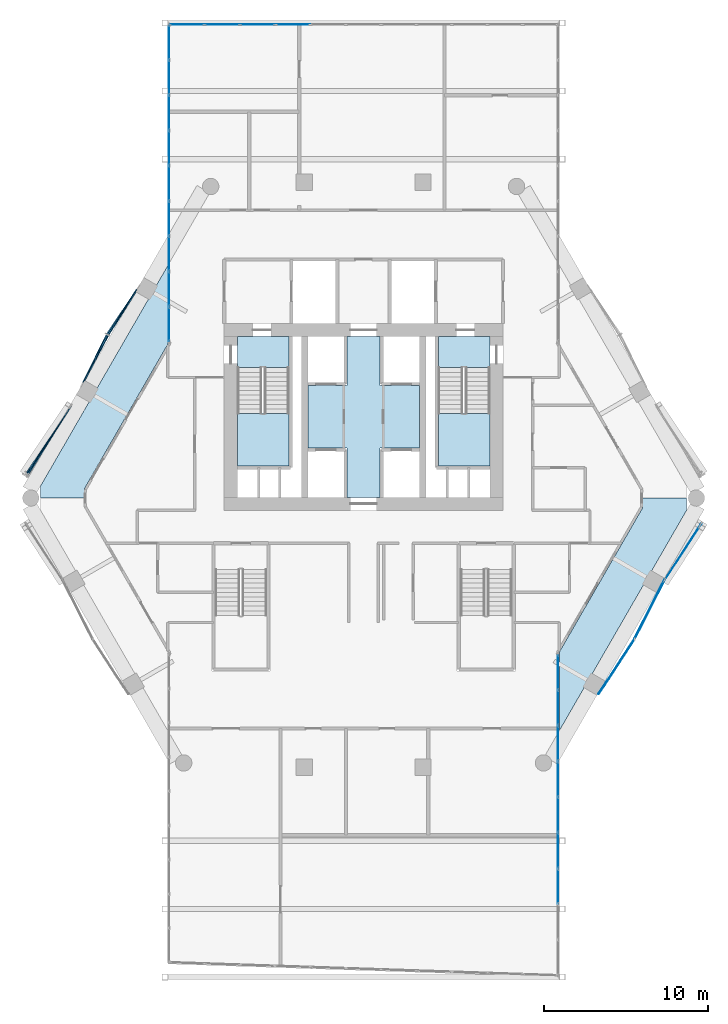
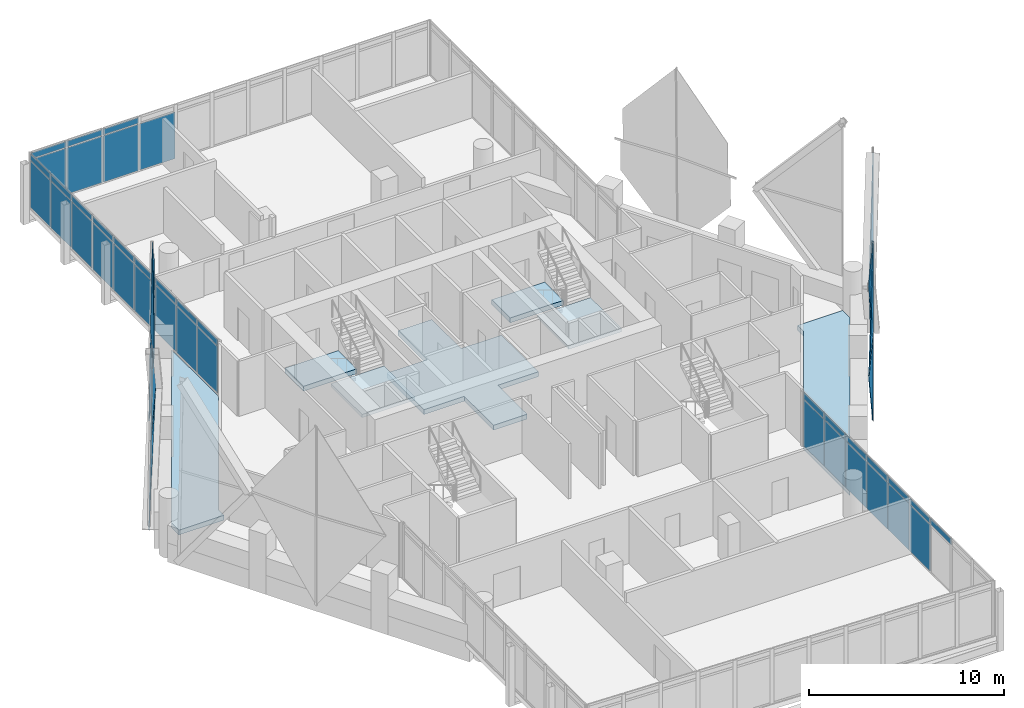
# One storey, part 27 of 37: 50 plates, 7 slabs, 13 elements without a shape of their own.
"""IFC4 building model written with IfcOpenShell, lengths in metres."""

from ifc_helpers import new_model, si_unit, direction, frame, origin, origin_2d, place, context, subcontext, project, spatial, polyline, rectangle, outline, extrude, material, layer, layer_set, type_object, element, aggregate, save


model = new_model("IFC4")

# Units and contexts
model_context = context("Model", 3, precision=1e-05, world=origin(), true_north=direction((0.0, 1.0)))
body_context = subcontext(model_context, "Body", "Model", "MODEL_VIEW")
ifc_project = project(units=[si_unit("LENGTHUNIT", "METRE"), si_unit("AREAUNIT", "SQUARE_METRE"), si_unit("VOLUMEUNIT", "CUBIC_METRE"), si_unit("PLANEANGLEUNIT", "RADIAN"), si_unit("MASSUNIT", "GRAM", prefix="KILO")], contexts=[model_context])

# Site, building, storey
site_placement = place(None, origin())
site = spatial("IfcSite", under=ifc_project, at=site_placement, CompositionType="ELEMENT")
building_placement = place(site_placement, origin())
building = spatial("IfcBuilding", under=site, at=building_placement, Name="Ostrander Bayou Hotel Tower", CompositionType="ELEMENT")
storey_placement = place(building_placement, frame((0.0, 0.0, 198.25)))
storey = spatial("IfcBuildingStorey", under=building, at=storey_placement, Name="L49", CompositionType="ELEMENT", Elevation=198.25)

# Curtain wall, plates
ifc_material_1 = material(Name="Aluminium and clear glass", Category="aluminium")
curtain_wall_type_1 = type_object("IfcCurtainWallType", Name="CW-BAR glazed wall", PredefinedType="NOTDEFINED", material=ifc_material_1)
curtain_wall_1_placement = place(storey_placement, origin())
curtain_wall_1 = element("IfcCurtainWall", 1, at=curtain_wall_1_placement, inside=storey, type_object=curtain_wall_type_1, Name="CW-BAR L49:SB4S:W", PredefinedType="NOTDEFINED")
ifc_material_2 = material(Name="Clear laminated glass", Category="glass")
ifc_layer_1 = layer(ifc_material_2, 0.028076171875)
ifc_layer_set_1 = layer_set([ifc_layer_1], Name="CW-BR glazing panel 28 mm")
plate_type_1 = type_object("IfcPlateType", Name="CW-BR glazing panel 28 mm", PredefinedType="CURTAIN_PANEL", material=ifc_layer_set_1)
plate_1_placement = place(storey_placement, frame((11.857177734375, -11.565673828125, 0.06005859375), z_axis=(0.0, 0.0, 1.0), x_axis=(0.0, -1.0, 0.0)))
plate_1 = element("IfcPlate", 2, at=plate_1_placement, type_object=plate_type_1, Name="CW-BAR panel 1.1", PredefinedType="CURTAIN_PANEL", context=body_context, shape_type="SweptSolid", body=[
    extrude(rectangle(XDim=2.086181640625, YDim=0.028076171875, at=origin_2d()), origin(), (0.0, 0.0, 1.0), 2.909912109375),
])
plate_2_placement = place(storey_placement, frame((11.857177734375, -11.565673828125, 3.02978515625), z_axis=(0.0, 0.0, 1.0), x_axis=(0.0, -1.0, 0.0)))
plate_2 = element("IfcPlate", 3, at=plate_2_placement, type_object=plate_type_1, Name="CW-BAR panel 1.2", PredefinedType="CURTAIN_PANEL", context=body_context, shape_type="SweptSolid", body=[
    extrude(rectangle(XDim=2.086181640625, YDim=0.028076171875, at=origin_2d()), origin(), (0.0, 0.0, 1.0), 0.360107421875),
])
plate_3_placement = place(storey_placement, frame((11.857177734375, -13.726806640625, 0.06005859375), z_axis=(0.0, 0.0, 1.0), x_axis=(0.0, -1.0, 0.0)))
plate_3 = element("IfcPlate", 4, at=plate_3_placement, type_object=plate_type_1, Name="CW-BAR panel 2.1", PredefinedType="CURTAIN_PANEL", context=body_context, shape_type="SweptSolid", body=[
    extrude(rectangle(XDim=2.1162109375, YDim=0.028076171875, at=origin_2d()), origin(), (0.0, 0.0, 1.0), 2.909912109375),
])
plate_4_placement = place(storey_placement, frame((11.857177734375, -13.726806640625, 3.02978515625), z_axis=(0.0, 0.0, 1.0), x_axis=(0.0, -1.0, 0.0)))
plate_4 = element("IfcPlate", 5, at=plate_4_placement, type_object=plate_type_1, Name="CW-BAR panel 2.2", PredefinedType="CURTAIN_PANEL", context=body_context, shape_type="SweptSolid", body=[
    extrude(rectangle(XDim=2.1162109375, YDim=0.028076171875, at=origin_2d()), origin(), (0.0, 0.0, 1.0), 0.360107421875),
])
plate_5_placement = place(storey_placement, frame((11.857177734375, -15.90283203125, 0.06005859375), z_axis=(0.0, 0.0, 1.0), x_axis=(0.0, -1.0, 0.0)))
plate_5 = element("IfcPlate", 6, at=plate_5_placement, type_object=plate_type_1, Name="CW-BAR panel 3.1", PredefinedType="CURTAIN_PANEL", context=body_context, shape_type="SweptSolid", body=[
    extrude(rectangle(XDim=2.1162109375, YDim=0.028076171875, at=origin_2d()), origin(), (0.0, 0.0, 1.0), 2.909912109375),
])
plate_6_placement = place(storey_placement, frame((11.857177734375, -15.90283203125, 3.02978515625), z_axis=(0.0, 0.0, 1.0), x_axis=(0.0, -1.0, 0.0)))
plate_6 = element("IfcPlate", 7, at=plate_6_placement, type_object=plate_type_1, Name="CW-BAR panel 3.2", PredefinedType="CURTAIN_PANEL", context=body_context, shape_type="SweptSolid", body=[
    extrude(rectangle(XDim=2.1162109375, YDim=0.028076171875, at=origin_2d()), origin(), (0.0, 0.0, 1.0), 0.360107421875),
])
plate_7_placement = place(storey_placement, frame((11.857177734375, -18.0791015625, 0.06005859375), z_axis=(0.0, 0.0, 1.0), x_axis=(0.0, -1.0, 0.0)))
plate_7 = element("IfcPlate", 8, at=plate_7_placement, type_object=plate_type_1, Name="CW-BAR panel 4.1", PredefinedType="CURTAIN_PANEL", context=body_context, shape_type="SweptSolid", body=[
    extrude(rectangle(XDim=2.1162109375, YDim=0.028076171875, at=origin_2d()), origin(), (0.0, 0.0, 1.0), 2.909912109375),
])
plate_8_placement = place(storey_placement, frame((11.857177734375, -18.0791015625, 3.02978515625), z_axis=(0.0, 0.0, 1.0), x_axis=(0.0, -1.0, 0.0)))
plate_8 = element("IfcPlate", 9, at=plate_8_placement, type_object=plate_type_1, Name="CW-BAR panel 4.2", PredefinedType="CURTAIN_PANEL", context=body_context, shape_type="SweptSolid", body=[
    extrude(rectangle(XDim=2.1162109375, YDim=0.028076171875, at=origin_2d()), origin(), (0.0, 0.0, 1.0), 0.360107421875),
])
plate_9_placement = place(storey_placement, frame((11.857177734375, -20.255126953125, 0.06005859375), z_axis=(0.0, 0.0, 1.0), x_axis=(0.0, -1.0, 0.0)))
plate_9 = element("IfcPlate", 10, at=plate_9_placement, type_object=plate_type_1, Name="CW-BAR panel 5.1", PredefinedType="CURTAIN_PANEL", context=body_context, shape_type="SweptSolid", body=[
    extrude(rectangle(XDim=2.1162109375, YDim=0.028076171875, at=origin_2d()), origin(), (0.0, 0.0, 1.0), 2.909912109375),
])
plate_10_placement = place(storey_placement, frame((11.857177734375, -20.255126953125, 3.02978515625), z_axis=(0.0, 0.0, 1.0), x_axis=(0.0, -1.0, 0.0)))
plate_10 = element("IfcPlate", 11, at=plate_10_placement, type_object=plate_type_1, Name="CW-BAR panel 5.2", PredefinedType="CURTAIN_PANEL", context=body_context, shape_type="SweptSolid", body=[
    extrude(rectangle(XDim=2.1162109375, YDim=0.028076171875, at=origin_2d()), origin(), (0.0, 0.0, 1.0), 0.360107421875),
])
plate_11_placement = place(storey_placement, frame((11.857177734375, -22.43115234375, 0.06005859375), z_axis=(0.0, 0.0, 1.0), x_axis=(0.0, -1.0, 0.0)))
plate_11 = element("IfcPlate", 12, at=plate_11_placement, type_object=plate_type_1, Name="CW-BAR panel 6.1", PredefinedType="CURTAIN_PANEL", context=body_context, shape_type="SweptSolid", body=[
    extrude(rectangle(XDim=2.1162109375, YDim=0.028076171875, at=origin_2d()), origin(), (0.0, 0.0, 1.0), 2.909912109375),
])
plate_12_placement = place(storey_placement, frame((11.857177734375, -22.43115234375, 3.02978515625), z_axis=(0.0, 0.0, 1.0), x_axis=(0.0, -1.0, 0.0)))
plate_12 = element("IfcPlate", 13, at=plate_12_placement, type_object=plate_type_1, Name="CW-BAR panel 6.2", PredefinedType="CURTAIN_PANEL", context=body_context, shape_type="SweptSolid", body=[
    extrude(rectangle(XDim=2.1162109375, YDim=0.028076171875, at=origin_2d()), origin(), (0.0, 0.0, 1.0), 0.360107421875),
])
plate_13_placement = place(storey_placement, frame((11.857177734375, -24.607177734375, 3.02978515625), z_axis=(0.0, 0.0, 1.0), x_axis=(0.0, -1.0, 0.0)))
plate_13 = element("IfcPlate", 14, at=plate_13_placement, type_object=plate_type_1, Name="CW-BAR panel 7.2", PredefinedType="CURTAIN_PANEL", context=body_context, shape_type="SweptSolid", body=[
    extrude(rectangle(XDim=2.1162109375, YDim=0.028076171875, at=origin_2d()), origin(), (0.0, 0.0, 1.0), 0.360107421875),
])
aggregate(curtain_wall_1, [plate_1, plate_2, plate_3, plate_4, plate_5, plate_6, plate_7, plate_8, plate_9, plate_10, plate_11, plate_12, plate_13])

curtain_wall_2_placement = place(storey_placement, origin())
curtain_wall_2 = element("IfcCurtainWall", 15, at=curtain_wall_2_placement, inside=storey, type_object=curtain_wall_type_1, Name="CW-BAR L49:SB4N:E", PredefinedType="NOTDEFINED")
plate_14_placement = place(storey_placement, frame((-11.857177734375, 9.654541015625, 0.06005859375), z_axis=(0.0, 0.0, 1.0), x_axis=(0.0, 1.0, 0.0)))
plate_14 = element("IfcPlate", 16, at=plate_14_placement, type_object=plate_type_1, Name="CW-BAR panel 1.1", PredefinedType="CURTAIN_PANEL", context=body_context, shape_type="SweptSolid", body=[
    extrude(rectangle(XDim=2.060302734375, YDim=0.028076171875, at=origin_2d()), origin(), (0.0, 0.0, 1.0), 2.909912109375),
])
plate_15_placement = place(storey_placement, frame((-11.857177734375, 9.654541015625, 3.02978515625), z_axis=(0.0, 0.0, 1.0), x_axis=(0.0, 1.0, 0.0)))
plate_15 = element("IfcPlate", 17, at=plate_15_placement, type_object=plate_type_1, Name="CW-BAR panel 1.2", PredefinedType="CURTAIN_PANEL", context=body_context, shape_type="SweptSolid", body=[
    extrude(rectangle(XDim=2.060302734375, YDim=0.028076171875, at=origin_2d()), origin(), (0.0, 0.0, 1.0), 0.360107421875),
])
plate_16_placement = place(storey_placement, frame((-11.857177734375, 11.789794921875, 0.06005859375), z_axis=(0.0, 0.0, 1.0), x_axis=(0.0, 1.0, 0.0)))
plate_16 = element("IfcPlate", 18, at=plate_16_placement, type_object=plate_type_1, Name="CW-BAR panel 2.1", PredefinedType="CURTAIN_PANEL", context=body_context, shape_type="SweptSolid", body=[
    extrude(rectangle(XDim=2.090087890625, YDim=0.028076171875, at=origin_2d()), origin(), (0.0, 0.0, 1.0), 2.909912109375),
])
plate_17_placement = place(storey_placement, frame((-11.857177734375, 11.789794921875, 3.02978515625), z_axis=(0.0, 0.0, 1.0), x_axis=(0.0, 1.0, 0.0)))
plate_17 = element("IfcPlate", 19, at=plate_17_placement, type_object=plate_type_1, Name="CW-BAR panel 2.2", PredefinedType="CURTAIN_PANEL", context=body_context, shape_type="SweptSolid", body=[
    extrude(rectangle(XDim=2.090087890625, YDim=0.028076171875, at=origin_2d()), origin(), (0.0, 0.0, 1.0), 0.360107421875),
])
plate_18_placement = place(storey_placement, frame((-11.857177734375, 13.93994140625, 0.06005859375), z_axis=(0.0, 0.0, 1.0), x_axis=(0.0, 1.0, 0.0)))
plate_18 = element("IfcPlate", 20, at=plate_18_placement, type_object=plate_type_1, Name="CW-BAR panel 3.1", PredefinedType="CURTAIN_PANEL", context=body_context, shape_type="SweptSolid", body=[
    extrude(rectangle(XDim=2.090087890625, YDim=0.028076171875, at=origin_2d()), origin(), (0.0, 0.0, 1.0), 2.909912109375),
])
plate_19_placement = place(storey_placement, frame((-11.857177734375, 13.93994140625, 3.02978515625), z_axis=(0.0, 0.0, 1.0), x_axis=(0.0, 1.0, 0.0)))
plate_19 = element("IfcPlate", 21, at=plate_19_placement, type_object=plate_type_1, Name="CW-BAR panel 3.2", PredefinedType="CURTAIN_PANEL", context=body_context, shape_type="SweptSolid", body=[
    extrude(rectangle(XDim=2.090087890625, YDim=0.028076171875, at=origin_2d()), origin(), (0.0, 0.0, 1.0), 0.360107421875),
])
plate_20_placement = place(storey_placement, frame((-11.857177734375, 16.090087890625, 0.06005859375), z_axis=(0.0, 0.0, 1.0), x_axis=(0.0, 1.0, 0.0)))
plate_20 = element("IfcPlate", 22, at=plate_20_placement, type_object=plate_type_1, Name="CW-BAR panel 4.1", PredefinedType="CURTAIN_PANEL", context=body_context, shape_type="SweptSolid", body=[
    extrude(rectangle(XDim=2.090087890625, YDim=0.028076171875, at=origin_2d()), origin(), (0.0, 0.0, 1.0), 2.909912109375),
])
plate_21_placement = place(storey_placement, frame((-11.857177734375, 16.090087890625, 3.02978515625), z_axis=(0.0, 0.0, 1.0), x_axis=(0.0, 1.0, 0.0)))
plate_21 = element("IfcPlate", 23, at=plate_21_placement, type_object=plate_type_1, Name="CW-BAR panel 4.2", PredefinedType="CURTAIN_PANEL", context=body_context, shape_type="SweptSolid", body=[
    extrude(rectangle(XDim=2.090087890625, YDim=0.028076171875, at=origin_2d()), origin(), (0.0, 0.0, 1.0), 0.360107421875),
])
plate_22_placement = place(storey_placement, frame((-11.857177734375, 18.240234375, 0.06005859375), z_axis=(0.0, 0.0, 1.0), x_axis=(0.0, 1.0, 0.0)))
plate_22 = element("IfcPlate", 24, at=plate_22_placement, type_object=plate_type_1, Name="CW-BAR panel 5.1", PredefinedType="CURTAIN_PANEL", context=body_context, shape_type="SweptSolid", body=[
    extrude(rectangle(XDim=2.090087890625, YDim=0.028076171875, at=origin_2d()), origin(), (0.0, 0.0, 1.0), 2.909912109375),
])
plate_23_placement = place(storey_placement, frame((-11.857177734375, 18.240234375, 3.02978515625), z_axis=(0.0, 0.0, 1.0), x_axis=(0.0, 1.0, 0.0)))
plate_23 = element("IfcPlate", 25, at=plate_23_placement, type_object=plate_type_1, Name="CW-BAR panel 5.2", PredefinedType="CURTAIN_PANEL", context=body_context, shape_type="SweptSolid", body=[
    extrude(rectangle(XDim=2.090087890625, YDim=0.028076171875, at=origin_2d()), origin(), (0.0, 0.0, 1.0), 0.360107421875),
])
plate_24_placement = place(storey_placement, frame((-11.857177734375, 20.390380859375, 0.06005859375), z_axis=(0.0, 0.0, 1.0), x_axis=(0.0, 1.0, 0.0)))
plate_24 = element("IfcPlate", 26, at=plate_24_placement, type_object=plate_type_1, Name="CW-BAR panel 6.1", PredefinedType="CURTAIN_PANEL", context=body_context, shape_type="SweptSolid", body=[
    extrude(rectangle(XDim=2.090087890625, YDim=0.028076171875, at=origin_2d()), origin(), (0.0, 0.0, 1.0), 2.909912109375),
])
plate_25_placement = place(storey_placement, frame((-11.857177734375, 20.390380859375, 3.02978515625), z_axis=(0.0, 0.0, 1.0), x_axis=(0.0, 1.0, 0.0)))
plate_25 = element("IfcPlate", 27, at=plate_25_placement, type_object=plate_type_1, Name="CW-BAR panel 6.2", PredefinedType="CURTAIN_PANEL", context=body_context, shape_type="SweptSolid", body=[
    extrude(rectangle(XDim=2.090087890625, YDim=0.028076171875, at=origin_2d()), origin(), (0.0, 0.0, 1.0), 0.360107421875),
])
plate_26_placement = place(storey_placement, frame((-11.857177734375, 22.54052734375, 0.06005859375), z_axis=(0.0, 0.0, 1.0), x_axis=(0.0, 1.0, 0.0)))
plate_26 = element("IfcPlate", 28, at=plate_26_placement, type_object=plate_type_1, Name="CW-BAR panel 7.1", PredefinedType="CURTAIN_PANEL", context=body_context, shape_type="SweptSolid", body=[
    extrude(rectangle(XDim=2.090087890625, YDim=0.028076171875, at=origin_2d()), origin(), (0.0, 0.0, 1.0), 2.909912109375),
])
plate_27_placement = place(storey_placement, frame((-11.857177734375, 22.54052734375, 3.02978515625), z_axis=(0.0, 0.0, 1.0), x_axis=(0.0, 1.0, 0.0)))
plate_27 = element("IfcPlate", 29, at=plate_27_placement, type_object=plate_type_1, Name="CW-BAR panel 7.2", PredefinedType="CURTAIN_PANEL", context=body_context, shape_type="SweptSolid", body=[
    extrude(rectangle(XDim=2.090087890625, YDim=0.028076171875, at=origin_2d()), origin(), (0.0, 0.0, 1.0), 0.360107421875),
])
plate_28_placement = place(storey_placement, frame((-11.857177734375, 24.69091796875, 0.06005859375), z_axis=(0.0, 0.0, 1.0), x_axis=(0.0, 1.0, 0.0)))
plate_28 = element("IfcPlate", 30, at=plate_28_placement, type_object=plate_type_1, Name="CW-BAR panel 8.1", PredefinedType="CURTAIN_PANEL", context=body_context, shape_type="SweptSolid", body=[
    extrude(rectangle(XDim=2.090087890625, YDim=0.028076171875, at=origin_2d()), origin(), (0.0, 0.0, 1.0), 2.909912109375),
])
plate_29_placement = place(storey_placement, frame((-11.857177734375, 24.69091796875, 3.02978515625), z_axis=(0.0, 0.0, 1.0), x_axis=(0.0, 1.0, 0.0)))
plate_29 = element("IfcPlate", 31, at=plate_29_placement, type_object=plate_type_1, Name="CW-BAR panel 8.2", PredefinedType="CURTAIN_PANEL", context=body_context, shape_type="SweptSolid", body=[
    extrude(rectangle(XDim=2.090087890625, YDim=0.028076171875, at=origin_2d()), origin(), (0.0, 0.0, 1.0), 0.360107421875),
])
plate_30_placement = place(storey_placement, frame((-11.857177734375, 26.825927734375, 0.06005859375), z_axis=(0.0, 0.0, 1.0), x_axis=(0.0, 1.0, 0.0)))
plate_30 = element("IfcPlate", 32, at=plate_30_placement, type_object=plate_type_1, Name="CW-BAR panel 9.1", PredefinedType="CURTAIN_PANEL", context=body_context, shape_type="SweptSolid", body=[
    extrude(rectangle(XDim=2.060302734375, YDim=0.028076171875, at=origin_2d()), origin(), (0.0, 0.0, 1.0), 2.909912109375),
])
plate_31_placement = place(storey_placement, frame((-11.857177734375, 26.825927734375, 3.02978515625), z_axis=(0.0, 0.0, 1.0), x_axis=(0.0, 1.0, 0.0)))
plate_31 = element("IfcPlate", 33, at=plate_31_placement, type_object=plate_type_1, Name="CW-BAR panel 9.2", PredefinedType="CURTAIN_PANEL", context=body_context, shape_type="SweptSolid", body=[
    extrude(rectangle(XDim=2.060302734375, YDim=0.028076171875, at=origin_2d()), origin(), (0.0, 0.0, 1.0), 0.360107421875),
])
aggregate(curtain_wall_2, [plate_14, plate_15, plate_16, plate_17, plate_18, plate_19, plate_20, plate_21, plate_22, plate_23, plate_24, plate_25, plate_26, plate_27, plate_28, plate_29, plate_30, plate_31])

curtain_wall_3_placement = place(storey_placement, origin())
curtain_wall_3 = element("IfcCurtainWall", 34, at=curtain_wall_3_placement, inside=storey, type_object=curtain_wall_type_1, Name="CW-BAR L49:SB4N:T", PredefinedType="NOTDEFINED")
plate_32_placement = place(storey_placement, frame((-10.76416015625, 27.916015625, 0.06005859375), z_axis=(0.0, 0.0, 1.0), x_axis=(1.0, 0.0, 0.0)))
plate_32 = element("IfcPlate", 35, at=plate_32_placement, type_object=plate_type_1, Name="CW-BAR panel 1.1", PredefinedType="CURTAIN_PANEL", context=body_context, shape_type="SweptSolid", body=[
    extrude(rectangle(XDim=2.06591796875, YDim=0.028076171875, at=origin_2d()), origin(), (0.0, 0.0, 1.0), 2.909912109375),
])
plate_33_placement = place(storey_placement, frame((-10.76416015625, 27.916015625, 3.02978515625), z_axis=(0.0, 0.0, 1.0), x_axis=(1.0, 0.0, 0.0)))
plate_33 = element("IfcPlate", 36, at=plate_33_placement, type_object=plate_type_1, Name="CW-BAR panel 1.2", PredefinedType="CURTAIN_PANEL", context=body_context, shape_type="SweptSolid", body=[
    extrude(rectangle(XDim=2.06591796875, YDim=0.028076171875, at=origin_2d()), origin(), (0.0, 0.0, 1.0), 0.360107421875),
])
plate_34_placement = place(storey_placement, frame((-8.62353515625, 27.916015625, 0.06005859375), z_axis=(0.0, 0.0, 1.0), x_axis=(1.0, 0.0, 0.0)))
plate_34 = element("IfcPlate", 37, at=plate_34_placement, type_object=plate_type_1, Name="CW-BAR panel 2.1", PredefinedType="CURTAIN_PANEL", context=body_context, shape_type="SweptSolid", body=[
    extrude(rectangle(XDim=2.095947265625, YDim=0.028076171875, at=origin_2d()), origin(), (0.0, 0.0, 1.0), 2.909912109375),
])
plate_35_placement = place(storey_placement, frame((-8.62353515625, 27.916015625, 3.02978515625), z_axis=(0.0, 0.0, 1.0), x_axis=(1.0, 0.0, 0.0)))
plate_35 = element("IfcPlate", 38, at=plate_35_placement, type_object=plate_type_1, Name="CW-BAR panel 2.2", PredefinedType="CURTAIN_PANEL", context=body_context, shape_type="SweptSolid", body=[
    extrude(rectangle(XDim=2.095947265625, YDim=0.028076171875, at=origin_2d()), origin(), (0.0, 0.0, 1.0), 0.360107421875),
])
plate_36_placement = place(storey_placement, frame((-6.467529296875, 27.916015625, 0.06005859375), z_axis=(0.0, 0.0, 1.0), x_axis=(1.0, 0.0, 0.0)))
plate_36 = element("IfcPlate", 39, at=plate_36_placement, type_object=plate_type_1, Name="CW-BAR panel 3.1", PredefinedType="CURTAIN_PANEL", context=body_context, shape_type="SweptSolid", body=[
    extrude(rectangle(XDim=2.095947265625, YDim=0.028076171875, at=origin_2d()), origin(), (0.0, 0.0, 1.0), 2.909912109375),
])
plate_37_placement = place(storey_placement, frame((-6.467529296875, 27.916015625, 3.02978515625), z_axis=(0.0, 0.0, 1.0), x_axis=(1.0, 0.0, 0.0)))
plate_37 = element("IfcPlate", 40, at=plate_37_placement, type_object=plate_type_1, Name="CW-BAR panel 3.2", PredefinedType="CURTAIN_PANEL", context=body_context, shape_type="SweptSolid", body=[
    extrude(rectangle(XDim=2.095947265625, YDim=0.028076171875, at=origin_2d()), origin(), (0.0, 0.0, 1.0), 0.360107421875),
])
plate_38_placement = place(storey_placement, frame((-4.311767578125, 27.916015625, 0.06005859375), z_axis=(0.0, 0.0, 1.0), x_axis=(1.0, 0.0, 0.0)))
plate_38 = element("IfcPlate", 41, at=plate_38_placement, type_object=plate_type_1, Name="CW-BAR panel 4.1", PredefinedType="CURTAIN_PANEL", context=body_context, shape_type="SweptSolid", body=[
    extrude(rectangle(XDim=2.095947265625, YDim=0.028076171875, at=origin_2d()), origin(), (0.0, 0.0, 1.0), 2.909912109375),
])
aggregate(curtain_wall_3, [plate_32, plate_33, plate_34, plate_35, plate_36, plate_37, plate_38])

# Curtain wall, plate
ifc_material_3 = material(Name="Aluminium and clear glass", Category="aluminium")
curtain_wall_type_2 = type_object("IfcCurtainWallType", Name="CW-LAT lattice glazing", PredefinedType="NOTDEFINED", material=ifc_material_3)
curtain_wall_4_placement = place(storey_placement, origin())
curtain_wall_4 = element("IfcCurtainWall", 42, at=curtain_wall_4_placement, inside=storey, type_object=curtain_wall_type_2, Name="CW-LAT L49 NW 1", PredefinedType="NOTDEFINED")
ifc_material_4 = material(Name="Clear laminated glass", Category="glass")
ifc_layer_2 = layer(ifc_material_4, 0.028076171875)
ifc_layer_set_2 = layer_set([ifc_layer_2], Name="CW-LA glazing panel 28 mm")
plate_type_2 = type_object("IfcPlateType", Name="CW-LA glazing panel 28 mm", PredefinedType="CURTAIN_PANEL", material=ifc_layer_set_2)
plate_39_placement = place(storey_placement, frame((-13.866455078125, 11.77490234375, 3.14208984375), z_axis=(-0.838714435898, 0.544378414294, 0.014499554039), x_axis=(-0.367468932264, -0.546101608973, -0.752821105242)))
plate_39 = element("IfcPlate", 43, at=plate_39_placement, type_object=plate_type_2, Name="CW-LAT panel 1", PredefinedType="CURTAIN_PANEL", context=body_context, shape_type="SweptSolid", body=[
    extrude(outline(polyline([(0.0, 0.0), (4.9708858013965145, 4.440892098500626e-16), (0.732515370137999, 3.6991237005156106), (-1.4174982115651633, 1.2395266721261118), (0.0, 0.0)])), origin(), (0.0, 0.0, -1.0), 0.028076171875),
])

curtain_wall_5_placement = place(storey_placement, origin())
curtain_wall_5 = element("IfcCurtainWall", 44, at=curtain_wall_5_placement, inside=storey, type_object=curtain_wall_type_2, Name="CW-LAT L49 NW 2", PredefinedType="NOTDEFINED")
plate_40_placement = place(storey_placement, frame((-13.89990234375, 11.618408203125, 7.082763671875), z_axis=(-0.838712817162, 0.544381014777, 0.014495553776), x_axis=(-0.348831040939, -0.55749392691, 0.753337524843)))
plate_40 = element("IfcPlate", 45, at=plate_40_placement, type_object=plate_type_2, Name="CW-LAT panel 2", PredefinedType="CURTAIN_PANEL", context=body_context, shape_type="SweptSolid", body=[
    extrude(outline(polyline([(0.0, 0.0), (4.735116796656368, 0.0), (0.4994247677939825, -3.702193004033182), (-1.550560505346172, -1.353305250108319), (0.0, 0.0)])), origin(), (0.0, 0.0, -1.0), 0.028076171875),
])

curtain_wall_6_placement = place(storey_placement, origin())
curtain_wall_6 = element("IfcCurtainWall", 46, at=curtain_wall_6_placement, inside=storey, type_object=curtain_wall_type_2, Name="CW-LAT L49 NW 3", PredefinedType="NOTDEFINED")
plate_41_placement = place(storey_placement, frame((-17.12939453125, 6.123779296875, 3.138427734375), z_axis=(-0.890801554169, 0.454160830493, 0.014509691136), x_axis=(0.289208353191, 0.59131072146, -0.752801540335)))
plate_41 = element("IfcPlate", 47, at=plate_41_placement, type_object=plate_type_2, Name="CW-LAT panel 3", PredefinedType="CURTAIN_PANEL", context=body_context, shape_type="SweptSolid", body=[
    extrude(outline(polyline([(0.0, 0.0), (4.9661494352285125, 4.440892098500626e-16), (0.7280083323544784, -3.6993864431480414), (-1.4204427523540766, -1.2417245734397988), (0.0, 0.0)])), origin(), (0.0, 0.0, -1.0), 0.028076171875),
])
aggregate(curtain_wall_6, [plate_41])

curtain_wall_7_placement = place(storey_placement, origin())
curtain_wall_7 = element("IfcCurtainWall", 48, at=curtain_wall_7_placement, inside=storey, type_object=curtain_wall_type_2, Name="CW-LAT L49 NW 4", PredefinedType="NOTDEFINED")
plate_42_placement = place(storey_placement, frame((-17.01171875, 6.228515625, 7.082763671875), z_axis=(-0.890804377075, 0.454155172112, 0.014513491239), x_axis=(0.30838160417, 0.580800618968, 0.753373365083)))
plate_42 = element("IfcPlate", 49, at=plate_42_placement, type_object=plate_type_2, Name="CW-LAT panel 4", PredefinedType="CURTAIN_PANEL", context=body_context, shape_type="SweptSolid", body=[
    extrude(outline(polyline([(0.0, 0.0), (4.73488935151822, 0.0), (0.49915241481767914, 3.7021416277261627), (-1.55038663873298, 1.353507811891245), (0.0, 0.0)])), origin(), (0.0, 0.0, -1.0), 0.028076171875),
])
aggregate(curtain_wall_7, [plate_42])

# Plate
plate_43_placement = place(storey_placement, frame((-17.85400390625, 4.64208984375, 5.02490234375), z_axis=(-0.838719415014, 0.544357814851, 0.014977058789), x_axis=(-0.365854488383, -0.542892495675, -0.755922106748)))
plate_43 = element("IfcPlate", 50, at=plate_43_placement, type_object=plate_type_2, Name="CW-LAT panel 5", PredefinedType="CURTAIN_PANEL", context=body_context, shape_type="SweptSolid", body=[
    extrude(outline(polyline([(0.0, 0.0), (7.441242887050435, 0.0), (3.2162545754877865, 3.71470472296651), (0.0, 0.0)])), origin(), (0.0, 0.0, -1.0), 0.028076171875),
])

aggregate(curtain_wall_4, [plate_39, plate_43])

plate_44_placement = place(storey_placement, frame((-17.85400390625, 4.64208984375, 5.02490234375), z_axis=(-0.838719871734, 0.544358111277, 0.014940664172), x_axis=(-0.35049983728, -0.560623903609, 0.750233765415)))
plate_44 = element("IfcPlate", 51, at=plate_44_placement, type_object=plate_type_2, Name="CW-LAT panel 6", PredefinedType="CURTAIN_PANEL", context=body_context, shape_type="SweptSolid", body=[
    extrude(outline(polyline([(0.0, 0.0), (7.497663074238693, 0.0), (3.2482615863777604, -3.686749427292076), (0.0, 0.0)])), origin(), (0.0, 0.0, -1.0), 0.028076171875),
])

aggregate(curtain_wall_5, [plate_40, plate_44])

# Curtain wall, plate
curtain_wall_8_placement = place(storey_placement, origin())
curtain_wall_8 = element("IfcCurtainWall", 52, at=curtain_wall_8_placement, inside=storey, type_object=curtain_wall_type_2, Name="CW-LAT L49 SE 1", PredefinedType="NOTDEFINED")
plate_45_placement = place(storey_placement, frame((14.32373046875, -12.90478515625, 5.02490234375), z_axis=(0.838331200556, -0.545161258871, 0.0), x_axis=(0.316966821861, 0.487421239098, -0.813604676434)))
plate_45 = element("IfcPlate", 53, at=plate_45_placement, type_object=plate_type_2, Name="CW-LAT panel 1", PredefinedType="CURTAIN_PANEL", context=body_context, shape_type="SweptSolid", body=[
    extrude(outline(polyline([(0.0, 0.0), (6.913677075521655, 4.440892098500626e-16), (2.337150770579558, 3.270478860988562), (0.0, 0.0)])), origin(), (0.0, 0.0, -1.0), 0.028076171875),
])

curtain_wall_9_placement = place(storey_placement, origin())
curtain_wall_9 = element("IfcCurtainWall", 54, at=curtain_wall_9_placement, inside=storey, type_object=curtain_wall_type_2, Name="CW-LAT L49 SE 2", PredefinedType="NOTDEFINED")
plate_46_placement = place(storey_placement, frame((14.32373046875, -12.90478515625, 5.02490234375), z_axis=(-0.838331200556, 0.545161258871, 0.0), x_axis=(0.316966821861, 0.487421239098, 0.813604676434)))
plate_46 = element("IfcPlate", 55, at=plate_46_placement, type_object=plate_type_2, Name="CW-LAT panel 2", PredefinedType="CURTAIN_PANEL", context=body_context, shape_type="SweptSolid", body=[
    extrude(outline(polyline([(0.0, 0.0), (6.913677075521655, 4.440892098500626e-16), (2.337150770579558, 3.270478860988562), (0.0, 0.0)])), origin(), (0.0, 0.0, -1.0), 0.028076171875),
])

curtain_wall_10_placement = place(storey_placement, origin())
curtain_wall_10 = element("IfcCurtainWall", 56, at=curtain_wall_10_placement, inside=storey, type_object=curtain_wall_type_2, Name="CW-LAT L49 SE 3", PredefinedType="NOTDEFINED")
plate_47_placement = place(storey_placement, frame((18.337890625, -5.952392578125, 5.02490234375), z_axis=(-0.891271140075, 0.453470787229, 0.0), x_axis=(-0.263648577875, -0.518186342317, -0.813616827518)))
plate_47 = element("IfcPlate", 57, at=plate_47_placement, type_object=plate_type_2, Name="CW-LAT panel 3", PredefinedType="CURTAIN_PANEL", context=body_context, shape_type="SweptSolid", body=[
    extrude(outline(polyline([(0.0, 0.0), (6.913573822165882, -4.440892098500626e-16), (2.3369791673788387, 3.2703832139024116), (0.0, 0.0)])), origin(), (0.0, 0.0, -1.0), 0.028076171875),
])
aggregate(curtain_wall_10, [plate_47])

curtain_wall_11_placement = place(storey_placement, origin())
curtain_wall_11 = element("IfcCurtainWall", 58, at=curtain_wall_11_placement, inside=storey, type_object=curtain_wall_type_2, Name="CW-LAT L49 SE 4", PredefinedType="NOTDEFINED")
plate_48_placement = place(storey_placement, frame((18.337890625, -5.952392578125, 5.02490234375), z_axis=(0.891271140075, -0.453470787229, 0.0), x_axis=(-0.263648577875, -0.518186342317, 0.813616827518)))
plate_48 = element("IfcPlate", 59, at=plate_48_placement, type_object=plate_type_2, Name="CW-LAT panel 4", PredefinedType="CURTAIN_PANEL", context=body_context, shape_type="SweptSolid", body=[
    extrude(outline(polyline([(0.0, 0.0), (6.913573822165882, -4.440892098500626e-16), (2.3369791673788387, 3.2703832139024116), (0.0, 0.0)])), origin(), (0.0, 0.0, -1.0), 0.028076171875),
])
aggregate(curtain_wall_11, [plate_48])

# Plate
plate_49_placement = place(storey_placement, frame((18.337890625, -5.952392578125, 5.02490234375), z_axis=(-0.838358643032, 0.54511836711, 0.000866886989), x_axis=(0.321216422171, 0.495294773329, -0.807157418129)))
plate_49 = element("IfcPlate", 60, at=plate_49_placement, type_object=plate_type_2, Name="CW-LAT panel 5", PredefinedType="CURTAIN_PANEL", context=body_context, shape_type="SweptSolid", body=[
    extrude(outline(polyline([(0.0, 0.0), (6.968900828589583, 0.0), (2.37291776007055, -3.2444563559334645), (0.0, 0.0)])), origin(), (0.0, 0.0, -1.0), 0.028076171875),
])

aggregate(curtain_wall_8, [plate_45, plate_49])

plate_50_placement = place(storey_placement, frame((18.337890625, -5.952392578125, 5.02490234375), z_axis=(-0.838358616032, 0.545118349554, 0.000903274054), x_axis=(0.312577731649, 0.479366532663, 0.82006273482)))
plate_50 = element("IfcPlate", 61, at=plate_50_placement, type_object=plate_type_2, Name="CW-LAT panel 6", PredefinedType="CURTAIN_PANEL", context=body_context, shape_type="SweptSolid", body=[
    extrude(outline(polyline([(0.0, 0.0), (6.8592313260475155, 0.0), (2.3003128398176944, 3.296330775359953), (0.0, 0.0)])), origin(), (0.0, 0.0, -1.0), 0.028076171875),
])

aggregate(curtain_wall_9, [plate_46, plate_50])

# Slabs
ifc_material_5 = material(Name="Concrete f'c 40 MPa", Category="concrete")
ifc_layer_3 = layer(ifc_material_5, 0.300048828125)
ifc_layer_set_3 = layer_set([ifc_layer_3], Name="SL1 floor slab 300 mm f'c 40 MPa")
slab_type_1 = type_object("IfcSlabType", Name="SL1 floor slab 300 mm f'c 40 MPa", PredefinedType="FLOOR", material=ifc_layer_set_3)
slab_1_placement = place(storey_placement, frame((0.0, 0.0, -0.300048828125)))
element("IfcSlab", 62, at=slab_1_placement, inside=storey, type_object=slab_type_1, Name="cslab:L49:001", PredefinedType="FLOOR", context=body_context, shape_type="SweptSolid", body=[
    extrude(outline(polyline([(-3.39990234375, 5.89990234375), (-1.0, 5.89990234375), (-1.0, 8.89990234375), (1.0, 8.89990234375), (1.0, 5.89990234375), (3.39990234375, 5.89990234375), (3.39990234375, 2.10009765625), (1.0, 2.10009765625), (1.0, -0.89990234375), (-1.0, -0.89990234375), (-1.0, 2.10009765625), (-3.39990234375, 2.10009765625), (-3.39990234375, 5.89990234375)])), origin(), (0.0, 0.0, 1.0), 0.300048828125),
])
slab_2_placement = place(storey_placement, frame((0.0, 0.0, -0.300048828125)))
element("IfcSlab", 63, at=slab_2_placement, inside=storey, type_object=slab_type_1, Name="cslab:L49:002", PredefinedType="FLOOR", context=body_context, shape_type="SweptSolid", body=[
    extrude(outline(polyline([(-4.550048828125, 7.0), (-4.550048828125, 8.89990234375), (-7.699951171875, 8.89990234375), (-7.699951171875, 7.0), (-4.550048828125, 7.0)])), origin(), (0.0, 0.0, 1.0), 0.300048828125),
])
slab_3_placement = place(storey_placement, frame((0.0, 0.0, -0.300048828125)))
element("IfcSlab", 64, at=slab_3_placement, inside=storey, type_object=slab_type_1, Name="cslab:L49:003", PredefinedType="FLOOR", context=body_context, shape_type="SweptSolid", body=[
    extrude(outline(polyline([(7.699951171875, 7.0), (7.699951171875, 8.89990234375), (4.550048828125, 8.89990234375), (4.550048828125, 7.0), (7.699951171875, 7.0)])), origin(), (0.0, 0.0, 1.0), 0.300048828125),
])
ifc_material_6 = material(Name="Concrete f'c 40 MPa", Category="concrete")
ifc_layer_4 = layer(ifc_material_6, 0.300048828125)
ifc_layer_set_4 = layer_set([ifc_layer_4], Name="SL4 loggia slab 300 mm f'c 40 MPa")
slab_type_2 = type_object("IfcSlabType", Name="SL4 loggia slab 300 mm f'c 40 MPa", PredefinedType="FLOOR", material=ifc_layer_set_4)
slab_4_placement = place(storey_placement, frame((0.0, 0.0, -0.300048828125)))
element("IfcSlab", 65, at=slab_4_placement, inside=storey, type_object=slab_type_2, Name="SL4 LOGGIA L49 NW 1", PredefinedType="FLOOR", context=body_context, shape_type="SweptSolid", body=[
    extrude(outline(polyline([(-11.93212890625, 13.234619140625), (-11.93212890625, 8.4345703125), (-17.00341796875, -0.34912109375), (-17.00341796875, -0.94921875), (-19.68798828125, -0.94921875), (-19.68798828125, -0.19921875), (-16.723876953125, 4.93505859375), (-16.25390625, 5.7490234375), (-13.105712890625, 11.20166015625), (-12.4326171875, 12.36767578125), (-11.93212890625, 13.234619140625)])), origin(), (0.0, 0.0, 1.0), 0.300048828125),
])
slab_5_placement = place(storey_placement, frame((0.0, 0.0, -0.300048828125)))
element("IfcSlab", 66, at=slab_5_placement, inside=storey, type_object=slab_type_2, Name="SL4 LOGGIA L49 SE 1", PredefinedType="FLOOR", context=body_context, shape_type="SweptSolid", body=[
    extrude(outline(polyline([(13.457763671875, -12.490478515625), (11.93212890625, -15.1328125), (11.93212890625, -10.332763671875), (17.00341796875, -1.54931640625), (17.00341796875, -0.94921875), (19.68798828125, -0.94921875), (19.68798828125, -1.69921875), (17.5458984375, -5.40966796875), (17.075927734375, -6.2236328125), (13.927734375, -11.67626953125), (13.457763671875, -12.490478515625)])), origin(), (0.0, 0.0, 1.0), 0.300048828125),
])

# Stair, slab
ifc_material_7 = material(Name="Concrete f'c 45 MPa", Category="concrete")
stair_type = type_object("IfcStairType", Name="ST1 exit stair 1500 mm f'c 45 MPa", PredefinedType="HALF_TURN_STAIR", material=ifc_material_7)
stair_1_placement = place(storey_placement, origin())
stair_1 = element("IfcStair", 67, at=stair_1_placement, inside=storey, type_object=stair_type, Name="L49 exit stair A", PredefinedType="HALF_TURN_STAIR")
ifc_material_8 = material(Name="Concrete f'c 45 MPa", Category="concrete")
ifc_layer_5 = layer(ifc_material_8, 0.199951171875)
ifc_layer_set_5 = layer_set([ifc_layer_5], Name="SL8 stair landing 200 mm f'c 45 MPa")
slab_type_3 = type_object("IfcSlabType", Name="SL8 stair landing 200 mm f'c 45 MPa", PredefinedType="LANDING", material=ifc_layer_set_5)
slab_6_placement = place(storey_placement, frame((0.0, 0.0, 1.675048828125)))
slab_6 = element("IfcSlab", 68, at=slab_6_placement, type_object=slab_type_3, Name="STA landing 1", PredefinedType="LANDING", context=body_context, shape_type="SweptSolid", body=[
    extrude(outline(polyline([(-7.699951171875, 4.199951171875), (-7.699951171875, 1.0), (-4.550048828125, 1.0), (-4.550048828125, 4.199951171875), (-7.699951171875, 4.199951171875)])), origin(), (0.0, 0.0, 1.0), 0.199951171875),
])
aggregate(stair_1, [slab_6])

stair_2_placement = place(storey_placement, origin())
stair_2 = element("IfcStair", 69, at=stair_2_placement, inside=storey, type_object=stair_type, Name="L49 exit stair B", PredefinedType="HALF_TURN_STAIR")
slab_7_placement = place(storey_placement, frame((0.0, 0.0, 1.675048828125)))
slab_7 = element("IfcSlab", 70, at=slab_7_placement, type_object=slab_type_3, Name="STB landing 1", PredefinedType="LANDING", context=body_context, shape_type="SweptSolid", body=[
    extrude(outline(polyline([(4.550048828125, 4.199951171875), (4.550048828125, 1.0), (7.699951171875, 1.0), (7.699951171875, 4.199951171875), (4.550048828125, 4.199951171875)])), origin(), (0.0, 0.0, 1.0), 0.199951171875),
])
aggregate(stair_2, [slab_7])

save(model, "model.ifc")
